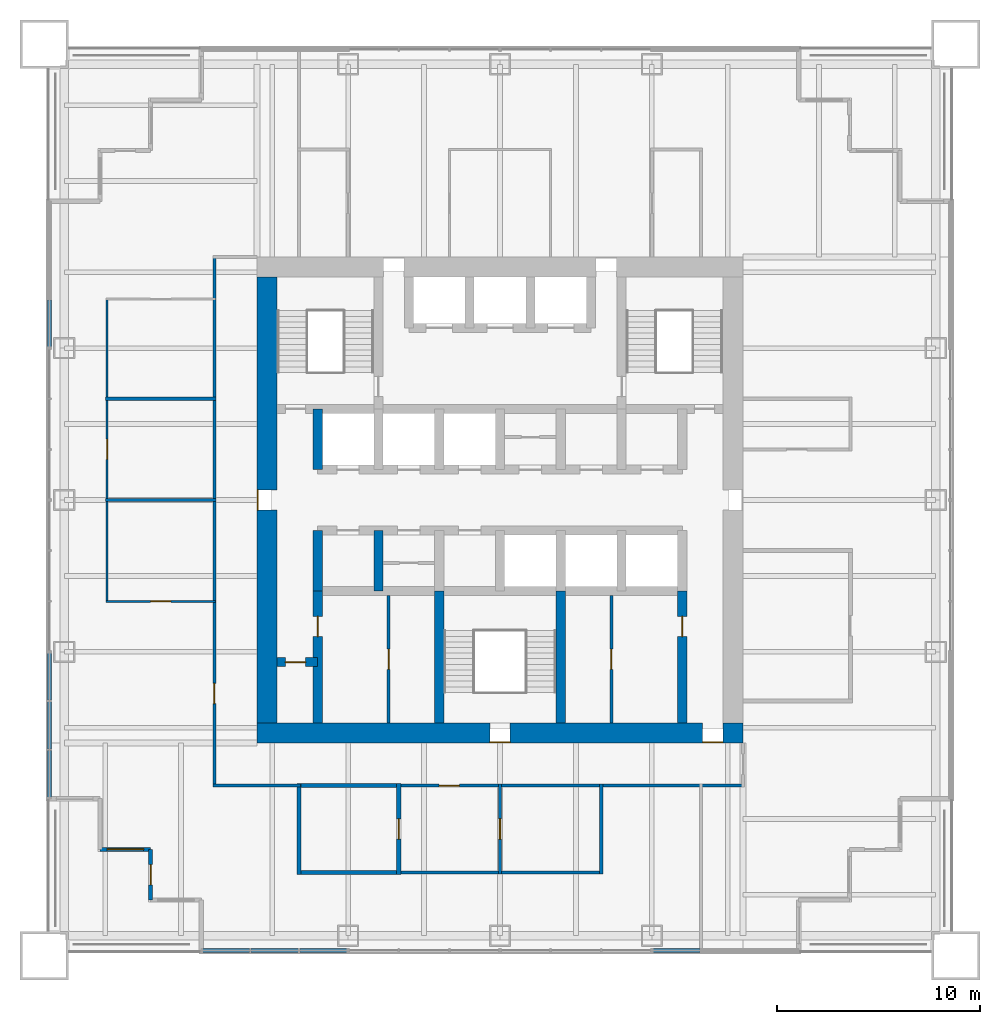
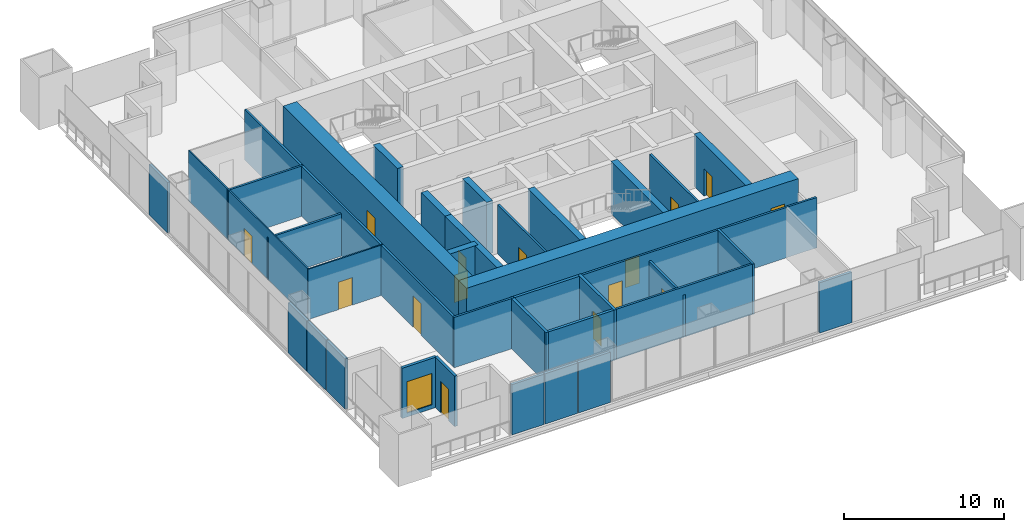
# One storey, part 8 of 13: 36 walls, 15 doors, 1 window, 16 openings.
"""IFC4 building model written with IfcOpenShell, lengths in metres."""

from ifc_helpers import new_model, si_unit, direction, frame, frame_2d, origin, place, context, subcontext, project, spatial, rectangle, extrude, material, layer, layer_set, type_object, element, fill, save


model = new_model("IFC4")

# Units and contexts
model_context = context("Model", 3, precision=1e-05, world=origin(), true_north=direction((0.0, 1.0)))
body_context = subcontext(model_context, "Body", "Model", "MODEL_VIEW")
ifc_project = project(units=[si_unit("LENGTHUNIT", "METRE"), si_unit("AREAUNIT", "SQUARE_METRE"), si_unit("VOLUMEUNIT", "CUBIC_METRE"), si_unit("PLANEANGLEUNIT", "RADIAN"), si_unit("MASSUNIT", "GRAM", prefix="KILO")], contexts=[model_context])

# Site, building, storey
site_placement = place(None, origin())
site = spatial("IfcSite", under=ifc_project, at=site_placement, CompositionType="ELEMENT")
building_placement = place(site_placement, origin())
building = spatial("IfcBuilding", under=site, at=building_placement, Name="Tarangal Relay Tower", CompositionType="ELEMENT")
storey_placement = place(building_placement, frame((0.0, 0.0, 241.89990234375)))
storey = spatial("IfcBuildingStorey", under=building, at=storey_placement, Name="L52", CompositionType="ELEMENT", Elevation=241.89990234375)

# Walls
ifc_material_1 = material(Name="Two layers gypsum board each side on twin steel studs, mineral wool", Category="steel")
ifc_layer_1 = layer(ifc_material_1, 0.199951171875)
ifc_layer_set_1 = layer_set([ifc_layer_1], Name="Acoustic partition 200")
wall_type_1 = type_object("IfcWallType", Name="Acoustic partition 200", PredefinedType="PARTITIONING", material=ifc_layer_set_1)
for number, where, z_axis, x_axis, name in (
    (1, (-10.01708984375, -18.39990234375, 0.0), (0.0, 0.0, 1.0), (1.0, 0.0, 0.0), "Partition PT2 L52"),
    (2, (-10.01708984375, -14.10009765625, 0.0), (0.0, 0.0, 1.0), (1.0, 0.0, 0.0), "Partition PT2 L52"),
):
    element("IfcWall", number, at=place(storey_placement, frame(where, z_axis=z_axis, x_axis=x_axis)), inside=storey, type_object=wall_type_1, Name=name, PredefinedType="PARTITIONING", context=body_context, shape_type="SweptSolid", body=[
        extrude(rectangle(XDim=5.1171875, YDim=0.199951171875, at=frame_2d((2.55859375, 0.0))), origin(), (0.0, 0.0, 1.0), 3.85009765625),
    ])
wall_1_placement = place(storey_placement, frame((-9.9169921875, -18.5, 0.0), z_axis=(0.0, 0.0, 1.0), x_axis=(0.0, 1.0, 0.0)))
element("IfcWall", 3, at=wall_1_placement, inside=storey, type_object=wall_type_1, Name="Partition PT2 L52", PredefinedType="PARTITIONING", context=body_context, shape_type="SweptSolid", body=[
    extrude(rectangle(XDim=4.5, YDim=0.199951171875, at=frame_2d((2.25, 0.0))), origin(), (0.0, 0.0, 1.0), 3.85009765625),
])

# Wall, opening, door
wall_2_placement = place(storey_placement, frame((-5.0, -18.5, 0.0), z_axis=(0.0, 0.0, 1.0), x_axis=(0.0, 1.0, 0.0)))
wall_2 = element("IfcWall", 4, at=wall_2_placement, inside=storey, type_object=wall_type_1, Name="Partition PT2 L52", PredefinedType="PARTITIONING", context=body_context, shape_type="SweptSolid", body=[
    extrude(rectangle(XDim=4.5, YDim=0.199951171875, at=frame_2d((2.25, 0.0))), origin(), (0.0, 0.0, 1.0), 3.85009765625),
])
opening_1_placement = place(wall_2_placement, frame((1.75, 0.0, 0.0)))
opening_1 = element("IfcOpeningElement", 5, at=opening_1_placement, cuts=wall_2, Name="Opening D2", PredefinedType="OPENING", context=body_context, shape_type="SweptSolid", body=[
    extrude(rectangle(XDim=1.0, YDim=2.10009765625, at=frame_2d((0.5, 1.050048828125))), frame((0.0, 0.10986328125, 0.0), z_axis=(0.0, -1.0, 0.0), x_axis=(1.0, 0.0, 0.0)), (0.0, 0.0, 1.0), 0.219970703125),
])
ifc_material_2 = material(Name="Hardwood door", Category="wood")
door_type_1 = type_object("IfcDoorType", Name="Door 1000 x 2100", OperationType="SINGLE_SWING_LEFT", PredefinedType="DOOR", material=ifc_material_2)
door_1_placement = place(opening_1_placement, origin())
door_1 = element("IfcDoor", 6, at=door_1_placement, inside=storey, type_object=door_type_1, Name="Door D2 to quiet room L52-09", OperationType="SINGLE_SWING_LEFT", OverallHeight=2.10009765625, OverallWidth=1.0, PredefinedType="DOOR", context=body_context, shape_type="SweptSolid", body=[
    extrude(rectangle(XDim=1.0, YDim=2.10009765625, at=frame_2d((0.5, 1.050048828125))), frame((0.0, 0.02490234375, 0.0), z_axis=(0.0, -1.0, 0.0), x_axis=(1.0, 0.0, 0.0)), (0.0, 0.0, 1.0), 0.050048828125),
])
fill(opening_1, door_1)

ifc_material_3 = material(Name="Concrete fc' 60 MPa", Category="concrete")
ifc_layer_2 = layer(ifc_material_3, 0.449951171875)
ifc_layer_set_2 = layer_set([ifc_layer_2], Name="Core inner wall 450")
wall_type_2 = type_object("IfcWallType", Name="Core inner wall 450", PredefinedType="SHEAR", material=ifc_layer_set_2)
wall_3_placement = place(storey_placement, frame((-11.0, -8.0, 0.0), z_axis=(0.0, 0.0, 1.0), x_axis=(1.0, 0.0, 0.0)))
wall_3 = element("IfcWall", 7, at=wall_3_placement, inside=storey, type_object=wall_type_2, Name="Core wall YM8 L52", PredefinedType="SHEAR", context=body_context, shape_type="SweptSolid", body=[
    extrude(rectangle(XDim=2.0, YDim=0.449951171875, at=frame_2d((1.0, 0.0))), origin(), (0.0, 0.0, 1.0), 4.0),
])
opening_2_placement = place(wall_3_placement, frame((0.39990234375, 0.0, 0.0)))
opening_2 = element("IfcOpeningElement", 8, at=opening_2_placement, cuts=wall_3, Name="Opening D1", PredefinedType="OPENING", context=body_context, shape_type="SweptSolid", body=[
    extrude(rectangle(XDim=1.0, YDim=2.10009765625, at=frame_2d((0.5, 1.050048828125))), frame((0.0, 0.23486328125, 0.0), z_axis=(0.0, -1.0, 0.0), x_axis=(1.0, 0.0, 0.0)), (0.0, 0.0, 1.0), 0.469970703125),
])
door_type_2 = type_object("IfcDoorType", Name="WC door 1000 x 2100", OperationType="SINGLE_SWING_LEFT", PredefinedType="DOOR", material=ifc_material_2)
door_2_placement = place(opening_2_placement, origin())
door_2 = element("IfcDoor", 9, at=door_2_placement, inside=storey, type_object=door_type_2, Name="Accessible WC door L52", OperationType="SINGLE_SWING_LEFT", OverallHeight=2.10009765625, OverallWidth=1.0, PredefinedType="DOOR", context=body_context, shape_type="SweptSolid", body=[
    extrude(rectangle(XDim=1.0, YDim=2.10009765625, at=frame_2d((0.5, 1.050048828125))), frame((0.0, 0.02490234375, 0.0), z_axis=(0.0, -1.0, 0.0), x_axis=(1.0, 0.0, 0.0)), (0.0, 0.0, 1.0), 0.050048828125),
])
fill(opening_2, door_2)

# Walls
for number, where, z_axis, x_axis, name in (
    (10, (-9.0, 1.5, 0.0), (0.0, 0.0, 1.0), (0.0, 1.0, 0.0), "Core wall XM9N L52"),
    (11, (-9.0, -4.5, 0.0), (0.0, 0.0, 1.0), (0.0, 1.0, 0.0), "Core wall XM9S L52"),
    (12, (-6.0, -4.5, 0.0), (0.0, 0.0, 1.0), (0.0, 1.0, 0.0), "Core wall XM6S L52"),
):
    element("IfcWall", number, at=place(storey_placement, frame(where, z_axis=z_axis, x_axis=x_axis)), inside=storey, type_object=wall_type_2, Name=name, PredefinedType="SHEAR", context=body_context, shape_type="SweptSolid", body=[
        extrude(rectangle(XDim=3.0, YDim=0.449951171875, at=frame_2d((1.5, 0.0))), origin(), (0.0, 0.0, 1.0), 4.0),
    ])

# Wall, opening, door
wall_4_placement = place(storey_placement, frame((-9.0, -11.0, 0.0), z_axis=(0.0, 0.0, 1.0), x_axis=(0.0, 1.0, 0.0)))
wall_4 = element("IfcWall", 13, at=wall_4_placement, inside=storey, type_object=wall_type_2, Name="Core wall XM9W L52", PredefinedType="SHEAR", context=body_context, shape_type="SweptSolid", body=[
    extrude(rectangle(XDim=6.5, YDim=0.449951171875, at=frame_2d((3.25, 0.0))), origin(), (0.0, 0.0, 1.0), 4.0),
])
opening_3_placement = place(wall_4_placement, frame((4.25, 0.0, 0.0)))
opening_3 = element("IfcOpeningElement", 14, at=opening_3_placement, cuts=wall_4, Name="Opening D1", PredefinedType="OPENING", context=body_context, shape_type="SweptSolid", body=[
    extrude(rectangle(XDim=1.0, YDim=2.10009765625, at=frame_2d((0.5, 1.050048828125))), frame((0.0, 0.23486328125, 0.0), z_axis=(0.0, -1.0, 0.0), x_axis=(1.0, 0.0, 0.0)), (0.0, 0.0, 1.0), 0.469970703125),
])
door_3_placement = place(opening_3_placement, origin())
door_3 = element("IfcDoor", 15, at=door_3_placement, inside=storey, type_object=door_type_2, Name="Male WC door L52", OperationType="SINGLE_SWING_LEFT", OverallHeight=2.10009765625, OverallWidth=1.0, PredefinedType="DOOR", context=body_context, shape_type="SweptSolid", body=[
    extrude(rectangle(XDim=1.0, YDim=2.10009765625, at=frame_2d((0.5, 1.050048828125))), frame((0.0, 0.02490234375, 0.0), z_axis=(0.0, -1.0, 0.0), x_axis=(1.0, 0.0, 0.0)), (0.0, 0.0, 1.0), 0.050048828125),
])
fill(opening_3, door_3)

wall_5_placement = place(storey_placement, frame((9.0, -11.0, 0.0), z_axis=(0.0, 0.0, 1.0), x_axis=(0.0, 1.0, 0.0)))
wall_5 = element("IfcWall", 16, at=wall_5_placement, inside=storey, type_object=wall_type_2, Name="Core wall X9W L52", PredefinedType="SHEAR", context=body_context, shape_type="SweptSolid", body=[
    extrude(rectangle(XDim=6.5, YDim=0.449951171875, at=frame_2d((3.25, 0.0))), origin(), (0.0, 0.0, 1.0), 4.0),
])
opening_4_placement = place(wall_5_placement, frame((4.25, 0.0, 0.0)))
opening_4 = element("IfcOpeningElement", 17, at=opening_4_placement, cuts=wall_5, Name="Opening D1", PredefinedType="OPENING", context=body_context, shape_type="SweptSolid", body=[
    extrude(rectangle(XDim=1.0, YDim=2.10009765625, at=frame_2d((0.5, 1.050048828125))), frame((0.0, 0.23486328125, 0.0), z_axis=(0.0, -1.0, 0.0), x_axis=(1.0, 0.0, 0.0)), (0.0, 0.0, 1.0), 0.469970703125),
])
door_4_placement = place(opening_4_placement, origin())
door_4 = element("IfcDoor", 18, at=door_4_placement, inside=storey, type_object=door_type_2, Name="Female WC door L52", OperationType="SINGLE_SWING_LEFT", OverallHeight=2.10009765625, OverallWidth=1.0, PredefinedType="DOOR", context=body_context, shape_type="SweptSolid", body=[
    extrude(rectangle(XDim=1.0, YDim=2.10009765625, at=frame_2d((0.5, 1.050048828125))), frame((0.0, 0.02490234375, 0.0), z_axis=(0.0, -1.0, 0.0), x_axis=(1.0, 0.0, 0.0)), (0.0, 0.0, 1.0), 0.050048828125),
])
fill(opening_4, door_4)

# Walls
for number, where, z_axis, x_axis, name in (
    (19, (-3.0, -11.0, 0.0), (0.0, 0.0, 1.0), (0.0, 1.0, 0.0), "Core wall XM3W L52"),
    (20, (3.0, -11.0, 0.0), (0.0, 0.0, 1.0), (0.0, 1.0, 0.0), "Core wall X3W L52"),
):
    element("IfcWall", number, at=place(storey_placement, frame(where, z_axis=z_axis, x_axis=x_axis)), inside=storey, type_object=wall_type_2, Name=name, PredefinedType="SHEAR", context=body_context, shape_type="SweptSolid", body=[
        extrude(rectangle(XDim=6.5, YDim=0.449951171875, at=frame_2d((3.25, 0.0))), origin(), (0.0, 0.0, 1.0), 4.0),
    ])

# Wall, openings, doors
ifc_layer_3 = layer(ifc_material_3, 1.0)
ifc_layer_set_3 = layer_set([ifc_layer_3], Name="Core wall 1000")
wall_type_3 = type_object("IfcWallType", Name="Core wall 1000", PredefinedType="SHEAR", material=ifc_layer_set_3)
wall_6_placement = place(storey_placement, frame((12.0, -11.5, 0.0), z_axis=(0.0, 0.0, 1.0), x_axis=(-1.0, 0.0, 0.0)))
wall_6 = element("IfcWall", 21, at=wall_6_placement, inside=storey, type_object=wall_type_3, Name="Core wall S L52", PredefinedType="SHEAR", context=body_context, shape_type="SweptSolid", body=[
    extrude(rectangle(XDim=24.0, YDim=1.0, at=frame_2d((12.0, 0.0))), origin(), (0.0, 0.0, 1.0), 4.0),
])
opening_5_placement = place(wall_6_placement, frame((11.5, 0.0, 0.0)))
opening_5 = element("IfcOpeningElement", 22, at=opening_5_placement, cuts=wall_6, Name="Opening FD1", PredefinedType="OPENING", context=body_context, shape_type="SweptSolid", body=[
    extrude(rectangle(XDim=1.0, YDim=2.10009765625, at=frame_2d((0.5, 1.050048828125))), frame((0.0, 0.510009765625, 0.0), z_axis=(0.0, -1.0, 0.0), x_axis=(1.0, 0.0, 0.0)), (0.0, 0.0, 1.0), 1.02001953125),
])
opening_6_placement = place(wall_6_placement, frame((1.0, 0.0, 0.0)))
opening_6 = element("IfcOpeningElement", 23, at=opening_6_placement, cuts=wall_6, Name="Opening FD3", PredefinedType="OPENING", context=body_context, shape_type="SweptSolid", body=[
    extrude(rectangle(XDim=1.0, YDim=2.39990234375, at=frame_2d((0.5, 1.199951171875))), frame((0.0, 0.510009765625, 0.0), z_axis=(0.0, -1.0, 0.0), x_axis=(1.0, 0.0, 0.0)), (0.0, 0.0, 1.0), 1.02001953125),
])
ifc_material_4 = material(Name="Steel door with hardwood frame", Category="steel")
door_type_3 = type_object("IfcDoorType", Name="Fire door 1000 x 2100", OperationType="SINGLE_SWING_LEFT", PredefinedType="DOOR", material=ifc_material_4)
door_5_placement = place(opening_5_placement, origin())
door_5 = element("IfcDoor", 24, at=door_5_placement, inside=storey, type_object=door_type_3, Name="Stair ST-C door L52", OperationType="SINGLE_SWING_LEFT", OverallHeight=2.10009765625, OverallWidth=1.0, PredefinedType="DOOR", context=body_context, shape_type="SweptSolid", body=[
    extrude(rectangle(XDim=1.0, YDim=2.10009765625, at=frame_2d((0.5, 1.050048828125))), frame((0.0, 0.48486328125, 0.0), z_axis=(0.0, -1.0, 0.0), x_axis=(1.0, 0.0, 0.0)), (0.0, 0.0, 1.0), 0.050048828125),
])
fill(opening_5, door_5)
door_type_4 = type_object("IfcDoorType", Name="Fire door 1000 x 2400 core entry", OperationType="SINGLE_SWING_RIGHT", PredefinedType="DOOR", material=ifc_material_4)
door_6_placement = place(opening_6_placement, origin())
door_6 = element("IfcDoor", 25, at=door_6_placement, inside=storey, type_object=door_type_4, Name="Core entry door south east L52", OperationType="SINGLE_SWING_RIGHT", OverallHeight=2.39990234375, OverallWidth=1.0, PredefinedType="DOOR", context=body_context, shape_type="SweptSolid", body=[
    extrude(rectangle(XDim=1.0, YDim=2.39990234375, at=frame_2d((0.5, 1.199951171875))), frame((0.0, 0.48486328125, 0.0), z_axis=(0.0, -1.0, 0.0), x_axis=(1.0, 0.0, 0.0)), (0.0, 0.0, 1.0), 0.050048828125),
])
fill(opening_6, door_6)

# Wall, opening, door
wall_7_placement = place(storey_placement, frame((-11.5, -11.0, 0.0), z_axis=(0.0, 0.0, 1.0), x_axis=(0.0, 1.0, 0.0)))
wall_7 = element("IfcWall", 26, at=wall_7_placement, inside=storey, type_object=wall_type_3, Name="Core wall W L52", PredefinedType="SHEAR", context=body_context, shape_type="SweptSolid", body=[
    extrude(rectangle(XDim=22.0, YDim=1.0, at=frame_2d((11.0, 0.0))), origin(), (0.0, 0.0, 1.0), 4.0),
])
opening_7_placement = place(wall_7_placement, frame((10.5, 0.0, 0.0)))
opening_7 = element("IfcOpeningElement", 27, at=opening_7_placement, cuts=wall_7, Name="Opening FD3", PredefinedType="OPENING", context=body_context, shape_type="SweptSolid", body=[
    extrude(rectangle(XDim=1.0, YDim=2.39990234375, at=frame_2d((0.5, 1.199951171875))), frame((0.0, 0.510009765625, 0.0), z_axis=(0.0, -1.0, 0.0), x_axis=(1.0, 0.0, 0.0)), (0.0, 0.0, 1.0), 1.02001953125),
])
door_7_placement = place(opening_7_placement, origin())
door_7 = element("IfcDoor", 28, at=door_7_placement, inside=storey, type_object=door_type_4, Name="Core entry door west L52", OperationType="SINGLE_SWING_RIGHT", OverallHeight=2.39990234375, OverallWidth=1.0, PredefinedType="DOOR", context=body_context, shape_type="SweptSolid", body=[
    extrude(rectangle(XDim=1.0, YDim=2.39990234375, at=frame_2d((0.5, 1.199951171875))), frame((0.0, 0.48486328125, 0.0), z_axis=(0.0, -1.0, 0.0), x_axis=(1.0, 0.0, 0.0)), (0.0, 0.0, 1.0), 0.050048828125),
])
fill(opening_7, door_7)

ifc_material_5 = material(Name="Black metal clad insulated wall", Category="steel")
ifc_layer_4 = layer(ifc_material_5, 0.199951171875)
ifc_layer_set_4 = layer_set([ifc_layer_4], Name="Corner wall metal clad 200")
wall_type_4 = type_object("IfcWallType", Name="Corner wall metal clad 200", PredefinedType="SOLIDWALL", material=ifc_layer_set_4)
wall_8_placement = place(storey_placement, frame((-17.25, -19.75, 0.0), z_axis=(0.0, 0.0, 1.0), x_axis=(0.0, 1.0, 0.0)))
wall_8 = element("IfcWall", 29, at=wall_8_placement, inside=storey, type_object=wall_type_4, Name="Facade wall S facade L52", PredefinedType="SOLIDWALL", context=body_context, shape_type="SweptSolid", body=[
    extrude(rectangle(XDim=2.5, YDim=0.199951171875, at=frame_2d((1.25, 0.0))), origin(), (0.0, 0.0, 1.0), 3.85009765625),
])
opening_8_placement = place(wall_8_placement, frame((0.75, 0.0, 0.0)))
opening_8 = element("IfcOpeningElement", 30, at=opening_8_placement, cuts=wall_8, Name="Opening TD1", PredefinedType="OPENING", context=body_context, shape_type="SweptSolid", body=[
    extrude(rectangle(XDim=1.0, YDim=2.39990234375, at=frame_2d((0.5, 1.199951171875))), frame((0.0, 0.10986328125, 0.0), z_axis=(0.0, -1.0, 0.0), x_axis=(1.0, 0.0, 0.0)), (0.0, 0.0, 1.0), 0.219970703125),
])
ifc_material_6 = material(Name="Aluminium glazed door", Category="aluminium")
door_type_5 = type_object("IfcDoorType", Name="Terrace door 1000 x 2400", OperationType="SINGLE_SWING_RIGHT", PredefinedType="DOOR", material=ifc_material_6)
door_8_placement = place(opening_8_placement, origin())
door_8 = element("IfcDoor", 31, at=door_8_placement, inside=storey, type_object=door_type_5, Name="Terrace door TD1 SW L52", OperationType="SINGLE_SWING_RIGHT", OverallHeight=2.39990234375, OverallWidth=1.0, PredefinedType="DOOR", context=body_context, shape_type="SweptSolid", body=[
    extrude(rectangle(XDim=1.0, YDim=2.39990234375, at=frame_2d((0.5, 1.199951171875))), frame((0.0, 0.02490234375, 0.0), z_axis=(0.0, -1.0, 0.0), x_axis=(1.0, 0.0, 0.0)), (0.0, 0.0, 1.0), 0.050048828125),
])
fill(opening_8, door_8)

# Wall, opening, window
wall_9_placement = place(storey_placement, frame((-17.25, -17.25, 0.0), z_axis=(0.0, 0.0, 1.0), x_axis=(-1.0, 0.0, 0.0)))
wall_9 = element("IfcWall", 32, at=wall_9_placement, inside=storey, type_object=wall_type_4, Name="Facade wall S facade L52", PredefinedType="SOLIDWALL", context=body_context, shape_type="SweptSolid", body=[
    extrude(rectangle(XDim=2.5, YDim=0.199951171875, at=frame_2d((1.25, 0.0))), origin(), (0.0, 0.0, 1.0), 3.85009765625),
])
opening_9_placement = place(wall_9_placement, frame((0.35009765625, 0.0, 0.300048828125)))
opening_9 = element("IfcOpeningElement", 33, at=opening_9_placement, cuts=wall_9, Name="Opening WN2", PredefinedType="OPENING", context=body_context, shape_type="SweptSolid", body=[
    extrude(rectangle(XDim=1.800048828125, YDim=2.39990234375, at=frame_2d((0.89990234375, 1.199951171875))), frame((0.0, 0.10986328125, 0.0), z_axis=(0.0, -1.0, 0.0), x_axis=(1.0, 0.0, 0.0)), (0.0, 0.0, 1.0), 0.219970703125),
])
ifc_material_7 = material(Name="Dark tinted double glazing in black aluminium frame", Category="aluminium")
window_type = type_object("IfcWindowType", Name="Corner window 1800 x 2400", PartitioningType="SINGLE_PANEL", PredefinedType="WINDOW", material=ifc_material_7)
window_placement = place(opening_9_placement, origin())
window = element("IfcWindow", 34, at=window_placement, inside=storey, type_object=window_type, Name="Corner window WN2 S facade L52", OverallHeight=2.39990234375, OverallWidth=1.800048828125, PartitioningType="SINGLE_PANEL", PredefinedType="WINDOW", context=body_context, shape_type="SweptSolid", body=[
    extrude(rectangle(XDim=1.800048828125, YDim=2.39990234375, at=frame_2d((0.89990234375, 1.199951171875))), frame((0.0, 0.030029296875, 0.0), z_axis=(0.0, -1.0, 0.0), x_axis=(1.0, 0.0, 0.0)), (0.0, 0.0, 1.0), 0.06005859375),
])
fill(opening_9, window)

# Walls
ifc_layer_5 = layer(ifc_material_5, 0.199951171875)
ifc_layer_set_5 = layer_set([ifc_layer_5], Name="Facade infill wall metal clad 200")
wall_type_5 = type_object("IfcWallType", Name="Facade infill wall metal clad 200", PredefinedType="SOLIDWALL", material=ifc_layer_set_5)
for number, where, z_axis, x_axis, name in (
    (35, (9.88427734375, -22.25, 0.0), (0.0, 0.0, 1.0), (-1.0, 0.0, 0.0), "Facade infill wall S facade L52 3.1"),
    (36, (-7.56494140625, -22.25, 0.0), (0.0, 0.0, 1.0), (-1.0, 0.0, 0.0), "Facade infill wall S facade L52 1.1"),
):
    element("IfcWall", number, at=place(storey_placement, frame(where, z_axis=z_axis, x_axis=x_axis)), inside=storey, type_object=wall_type_5, Name=name, PredefinedType="SOLIDWALL", context=body_context, shape_type="SweptSolid", body=[
        extrude(rectangle(XDim=2.3193359375, YDim=0.199951171875, at=frame_2d((1.15966796875, 0.0))), origin(), (0.0, 0.0, 1.0), 3.85009765625),
    ])
wall_10_placement = place(storey_placement, frame((-9.94921875, -22.25, 0.0), z_axis=(0.0, 0.0, 1.0), x_axis=(-1.0, 0.0, 0.0)))
element("IfcWall", 37, at=wall_10_placement, inside=storey, type_object=wall_type_5, Name="Facade infill wall S facade L52 2.1", PredefinedType="SOLIDWALL", context=body_context, shape_type="SweptSolid", body=[
    extrude(rectangle(XDim=2.3515625, YDim=0.199951171875, at=frame_2d((1.17578125, 0.0))), origin(), (0.0, 0.0, 1.0), 3.85009765625),
])
for number, where, z_axis, x_axis, name in (
    (38, (-12.36572265625, -22.25, 0.0), (0.0, 0.0, 1.0), (-1.0, 0.0, 0.0), "Facade infill wall S facade L52 3.1"),
    (39, (-22.25, -14.68505859375, 0.0), (0.0, 0.0, 1.0), (0.0, 1.0, 0.0), "Facade infill wall W facade L52 1.1"),
):
    element("IfcWall", number, at=place(storey_placement, frame(where, z_axis=z_axis, x_axis=x_axis)), inside=storey, type_object=wall_type_5, Name=name, PredefinedType="SOLIDWALL", context=body_context, shape_type="SweptSolid", body=[
        extrude(rectangle(XDim=2.3193359375, YDim=0.199951171875, at=frame_2d((1.15966796875, 0.0))), origin(), (0.0, 0.0, 1.0), 3.85009765625),
    ])
wall_11_placement = place(storey_placement, frame((-22.25, -12.30078125, 0.0), z_axis=(0.0, 0.0, 1.0), x_axis=(0.0, 1.0, 0.0)))
element("IfcWall", 40, at=wall_11_placement, inside=storey, type_object=wall_type_5, Name="Facade infill wall W facade L52 2.1", PredefinedType="SOLIDWALL", context=body_context, shape_type="SweptSolid", body=[
    extrude(rectangle(XDim=2.3515625, YDim=0.199951171875, at=frame_2d((1.17578125, 0.0))), origin(), (0.0, 0.0, 1.0), 3.85009765625),
])
for number, where, z_axis, x_axis, name in (
    (41, (-22.25, -9.88427734375, 0.0), (0.0, 0.0, 1.0), (0.0, 1.0, 0.0), "Facade infill wall W facade L52 3.1"),
    (42, (-22.25, 7.56494140625, 0.0), (0.0, 0.0, 1.0), (0.0, 1.0, 0.0), "Facade infill wall W facade L52 1.1"),
):
    element("IfcWall", number, at=place(storey_placement, frame(where, z_axis=z_axis, x_axis=x_axis)), inside=storey, type_object=wall_type_5, Name=name, PredefinedType="SOLIDWALL", context=body_context, shape_type="SweptSolid", body=[
        extrude(rectangle(XDim=2.3193359375, YDim=0.199951171875, at=frame_2d((1.15966796875, 0.0))), origin(), (0.0, 0.0, 1.0), 3.85009765625),
    ])

# Wall, opening, door
ifc_material_8 = material(Name="Double glazed aluminium framed partition", Category="aluminium")
ifc_layer_6 = layer(ifc_material_8, 0.10009765625)
ifc_layer_set_6 = layer_set([ifc_layer_6], Name="Glazed partition 100")
wall_type_6 = type_object("IfcWallType", Name="Glazed partition 100", PredefinedType="PARTITIONING", material=ifc_layer_set_6)
wall_12_placement = place(storey_placement, frame((-19.449951171875, -5.0, 0.0), z_axis=(0.0, 0.0, 1.0), x_axis=(1.0, 0.0, 0.0)))
wall_12 = element("IfcWall", 43, at=wall_12_placement, inside=storey, type_object=wall_type_6, Name="Partition PT3 L52", PredefinedType="PARTITIONING", context=body_context, shape_type="SweptSolid", body=[
    extrude(rectangle(XDim=5.39990234375, YDim=0.10009765625, at=frame_2d((2.699951171875, 0.0))), origin(), (0.0, 0.0, 1.0), 3.85009765625),
])
opening_10_placement = place(wall_12_placement, frame((2.199951171875, 0.0, 0.0)))
opening_10 = element("IfcOpeningElement", 44, at=opening_10_placement, cuts=wall_12, Name="Opening D3", PredefinedType="OPENING", context=body_context, shape_type="SweptSolid", body=[
    extrude(rectangle(XDim=1.0, YDim=2.10009765625, at=frame_2d((0.5, 1.050048828125))), frame((0.0, 0.06005859375, 0.0), z_axis=(0.0, -1.0, 0.0), x_axis=(1.0, 0.0, 0.0)), (0.0, 0.0, 1.0), 0.1201171875),
])
ifc_material_9 = material(Name="Frameless glass door", Category="glass")
door_type_6 = type_object("IfcDoorType", Name="Glazed door 1000 x 2100", OperationType="SINGLE_SWING_LEFT", PredefinedType="DOOR", material=ifc_material_9)
door_9_placement = place(opening_10_placement, origin())
door_9 = element("IfcDoor", 45, at=door_9_placement, inside=storey, type_object=door_type_6, Name="Door D3 to meeting room L52-10", OperationType="SINGLE_SWING_LEFT", OverallHeight=2.10009765625, OverallWidth=1.0, PredefinedType="DOOR", context=body_context, shape_type="SweptSolid", body=[
    extrude(rectangle(XDim=1.0, YDim=2.10009765625, at=frame_2d((0.5, 1.050048828125))), frame((0.0, 0.02490234375, 0.0), z_axis=(0.0, -1.0, 0.0), x_axis=(1.0, 0.0, 0.0)), (0.0, 0.0, 1.0), 0.050048828125),
])
fill(opening_10, door_9)

wall_13_placement = place(storey_placement, frame((-19.39990234375, -5.050048828125, 0.0), z_axis=(0.0, 0.0, 1.0), x_axis=(0.0, 1.0, 0.0)))
wall_13 = element("IfcWall", 46, at=wall_13_placement, inside=storey, type_object=wall_type_6, Name="Partition PT3 L52", PredefinedType="PARTITIONING", context=body_context, shape_type="SweptSolid", body=[
    extrude(rectangle(XDim=15.01708984375, YDim=0.10009765625, at=frame_2d((7.508544921875, 0.0))), origin(), (0.0, 0.0, 1.0), 3.85009765625),
])
opening_11_placement = place(wall_13_placement, frame((7.050048828125, 0.0, 0.0)))
opening_11 = element("IfcOpeningElement", 47, at=opening_11_placement, cuts=wall_13, Name="Opening D3", PredefinedType="OPENING", context=body_context, shape_type="SweptSolid", body=[
    extrude(rectangle(XDim=1.0, YDim=2.10009765625, at=frame_2d((0.5, 1.050048828125))), frame((0.0, 0.06005859375, 0.0), z_axis=(0.0, -1.0, 0.0), x_axis=(1.0, 0.0, 0.0)), (0.0, 0.0, 1.0), 0.1201171875),
])
door_10_placement = place(opening_11_placement, origin())
door_10 = element("IfcDoor", 48, at=door_10_placement, inside=storey, type_object=door_type_6, Name="Door D3 to meeting room L52-11", OperationType="SINGLE_SWING_LEFT", OverallHeight=2.10009765625, OverallWidth=1.0, PredefinedType="DOOR", context=body_context, shape_type="SweptSolid", body=[
    extrude(rectangle(XDim=1.0, YDim=2.10009765625, at=frame_2d((0.5, 1.050048828125))), frame((0.0, 0.02490234375, 0.0), z_axis=(0.0, -1.0, 0.0), x_axis=(1.0, 0.0, 0.0)), (0.0, 0.0, 1.0), 0.050048828125),
])
fill(opening_11, door_10)

# Walls
ifc_material_10 = material(Name="Gypsum board on steel studs", Category="steel")
ifc_layer_7 = layer(ifc_material_10, 0.14990234375)
ifc_layer_set_7 = layer_set([ifc_layer_7], Name="Partition 150")
wall_type_7 = type_object("IfcWallType", Name="Partition 150", PredefinedType="PARTITIONING", material=ifc_layer_set_7)
wall_14_placement = place(storey_placement, frame((-5.074951171875, -18.39990234375, 0.0), z_axis=(0.0, 0.0, 1.0), x_axis=(1.0, 0.0, 0.0)))
element("IfcWall", 49, at=wall_14_placement, inside=storey, type_object=wall_type_7, Name="Partition PT1 L52", PredefinedType="PARTITIONING", context=body_context, shape_type="SweptSolid", body=[
    extrude(rectangle(XDim=10.14990234375, YDim=0.14990234375, at=frame_2d((5.074951171875, 0.0))), origin(), (0.0, 0.0, 1.0), 3.85009765625),
])
wall_15_placement = place(storey_placement, frame((-14.175048828125, -14.10009765625, 0.0), z_axis=(0.0, 0.0, 1.0), x_axis=(1.0, 0.0, 0.0)))
element("IfcWall", 50, at=wall_15_placement, inside=storey, type_object=wall_type_7, Name="Partition PT1 L52", PredefinedType="PARTITIONING", context=body_context, shape_type="SweptSolid", body=[
    extrude(rectangle(XDim=4.3330078125, YDim=0.14990234375, at=frame_2d((2.16650390625, 0.0))), origin(), (0.0, 0.0, 1.0), 3.85009765625),
])

# Wall, opening, door
wall_16_placement = place(storey_placement, frame((-5.074951171875, -14.10009765625, 0.0), z_axis=(0.0, 0.0, 1.0), x_axis=(1.0, 0.0, 0.0)))
wall_16 = element("IfcWall", 51, at=wall_16_placement, inside=storey, type_object=wall_type_7, Name="Partition PT1 L52", PredefinedType="PARTITIONING", context=body_context, shape_type="SweptSolid", body=[
    extrude(rectangle(XDim=17.14990234375, YDim=0.14990234375, at=frame_2d((8.574951171875, 0.0))), origin(), (0.0, 0.0, 1.0), 3.85009765625),
])
opening_12_placement = place(wall_16_placement, frame((2.074951171875, 0.0, 0.0)))
opening_12 = element("IfcOpeningElement", 52, at=opening_12_placement, cuts=wall_16, Name="Opening SD1", PredefinedType="OPENING", context=body_context, shape_type="SweptSolid", body=[
    extrude(rectangle(XDim=1.0, YDim=2.39990234375, at=frame_2d((0.5, 1.199951171875))), frame((0.0, 0.0849609375, 0.0), z_axis=(0.0, -1.0, 0.0), x_axis=(1.0, 0.0, 0.0)), (0.0, 0.0, 1.0), 0.169921875),
])
door_type_7 = type_object("IfcDoorType", Name="Suite entrance door 1000 x 2400", OperationType="SINGLE_SWING_RIGHT", PredefinedType="DOOR", material=ifc_material_4)
door_11_placement = place(opening_12_placement, origin())
door_11 = element("IfcDoor", 53, at=door_11_placement, inside=storey, type_object=door_type_7, Name="Door SD1 to reception L52-08", OperationType="SINGLE_SWING_RIGHT", OverallHeight=2.39990234375, OverallWidth=1.0, PredefinedType="DOOR", context=body_context, shape_type="SweptSolid", body=[
    extrude(rectangle(XDim=1.0, YDim=2.39990234375, at=frame_2d((0.5, 1.199951171875))), frame((0.0, 0.02490234375, 0.0), z_axis=(0.0, -1.0, 0.0), x_axis=(1.0, 0.0, 0.0)), (0.0, 0.0, 1.0), 0.050048828125),
])
fill(opening_12, door_11)

# Walls
wall_17_placement = place(storey_placement, frame((-19.47509765625, 0.0, 0.0), z_axis=(0.0, 0.0, 1.0), x_axis=(1.0, 0.0, 0.0)))
element("IfcWall", 54, at=wall_17_placement, inside=storey, type_object=wall_type_7, Name="Partition PT1 L52", PredefinedType="PARTITIONING", context=body_context, shape_type="SweptSolid", body=[
    extrude(rectangle(XDim=5.4501953125, YDim=0.14990234375, at=frame_2d((2.72509765625, 0.0))), origin(), (0.0, 0.0, 1.0), 3.238037109375),
])
wall_18_placement = place(storey_placement, frame((-19.47509765625, 5.0, 0.0), z_axis=(0.0, 0.0, 1.0), x_axis=(1.0, 0.0, 0.0)))
element("IfcWall", 55, at=wall_18_placement, inside=storey, type_object=wall_type_7, Name="Partition PT1 L52", PredefinedType="PARTITIONING", context=body_context, shape_type="SweptSolid", body=[
    extrude(rectangle(XDim=5.4501953125, YDim=0.14990234375, at=frame_2d((2.72509765625, 0.0))), origin(), (0.0, 0.0, 1.0), 3.85009765625),
])

# Wall, opening, door
wall_19_placement = place(storey_placement, frame((-14.10009765625, -14.175048828125, 0.0), z_axis=(0.0, 0.0, 1.0), x_axis=(0.0, 1.0, 0.0)))
wall_19 = element("IfcWall", 56, at=wall_19_placement, inside=storey, type_object=wall_type_7, Name="Partition PT1 L52", PredefinedType="PARTITIONING", context=body_context, shape_type="SweptSolid", body=[
    extrude(rectangle(XDim=26.25, YDim=0.14990234375, at=frame_2d((13.125, 0.0))), origin(), (0.0, 0.0, 1.0), 3.85009765625),
])
opening_13_placement = place(wall_19_placement, frame((4.125, 0.0, 0.0)))
opening_13 = element("IfcOpeningElement", 57, at=opening_13_placement, cuts=wall_19, Name="Opening SD1", PredefinedType="OPENING", context=body_context, shape_type="SweptSolid", body=[
    extrude(rectangle(XDim=1.0, YDim=2.39990234375, at=frame_2d((0.5, 1.199951171875))), frame((0.0, 0.0849609375, 0.0), z_axis=(0.0, -1.0, 0.0), x_axis=(1.0, 0.0, 0.0)), (0.0, 0.0, 1.0), 0.169921875),
])
door_12_placement = place(opening_13_placement, origin())
door_12 = element("IfcDoor", 58, at=door_12_placement, inside=storey, type_object=door_type_7, Name="Door SD1 to open plan office L52-14", OperationType="SINGLE_SWING_RIGHT", OverallHeight=2.39990234375, OverallWidth=1.0, PredefinedType="DOOR", context=body_context, shape_type="SweptSolid", body=[
    extrude(rectangle(XDim=1.0, YDim=2.39990234375, at=frame_2d((0.5, 1.199951171875))), frame((0.0, 0.02490234375, 0.0), z_axis=(0.0, -1.0, 0.0), x_axis=(1.0, 0.0, 0.0)), (0.0, 0.0, 1.0), 0.050048828125),
])
fill(opening_13, door_12)

wall_20_placement = place(storey_placement, frame((0.0, -18.47509765625, 0.0), z_axis=(0.0, 0.0, 1.0), x_axis=(0.0, 1.0, 0.0)))
wall_20 = element("IfcWall", 59, at=wall_20_placement, inside=storey, type_object=wall_type_7, Name="Partition PT1 L52", PredefinedType="PARTITIONING", context=body_context, shape_type="SweptSolid", body=[
    extrude(rectangle(XDim=4.4501953125, YDim=0.14990234375, at=frame_2d((2.22509765625, 0.0))), origin(), (0.0, 0.0, 1.0), 3.238037109375),
])
opening_14_placement = place(wall_20_placement, frame((1.72509765625, 0.0, 0.0)))
opening_14 = element("IfcOpeningElement", 60, at=opening_14_placement, cuts=wall_20, Name="Opening D2", PredefinedType="OPENING", context=body_context, shape_type="SweptSolid", body=[
    extrude(rectangle(XDim=1.0, YDim=2.10009765625, at=frame_2d((0.5, 1.050048828125))), frame((0.0, 0.0849609375, 0.0), z_axis=(0.0, -1.0, 0.0), x_axis=(1.0, 0.0, 0.0)), (0.0, 0.0, 1.0), 0.169921875),
])
door_13_placement = place(opening_14_placement, origin())
door_13 = element("IfcDoor", 61, at=door_13_placement, inside=storey, type_object=door_type_1, Name="Door D2 to tea pantry L52-07", OperationType="SINGLE_SWING_LEFT", OverallHeight=2.10009765625, OverallWidth=1.0, PredefinedType="DOOR", context=body_context, shape_type="SweptSolid", body=[
    extrude(rectangle(XDim=1.0, YDim=2.10009765625, at=frame_2d((0.5, 1.050048828125))), frame((0.0, 0.02490234375, 0.0), z_axis=(0.0, -1.0, 0.0), x_axis=(1.0, 0.0, 0.0)), (0.0, 0.0, 1.0), 0.050048828125),
])
fill(opening_14, door_13)

# Wall
wall_21_placement = place(storey_placement, frame((5.0, -18.47509765625, 0.0), z_axis=(0.0, 0.0, 1.0), x_axis=(0.0, 1.0, 0.0)))
element("IfcWall", 62, at=wall_21_placement, inside=storey, type_object=wall_type_7, Name="Partition PT1 L52", PredefinedType="PARTITIONING", context=body_context, shape_type="SweptSolid", body=[
    extrude(rectangle(XDim=4.4501953125, YDim=0.14990234375, at=frame_2d((2.22509765625, 0.0))), origin(), (0.0, 0.0, 1.0), 3.85009765625),
])

# Wall, opening, door
wall_22_placement = place(storey_placement, frame((-5.5, -11.0, 0.0), z_axis=(0.0, 0.0, 1.0), x_axis=(0.0, 1.0, 0.0)))
wall_22 = element("IfcWall", 63, at=wall_22_placement, inside=storey, type_object=wall_type_7, Name="Partition PT1 L52", PredefinedType="PARTITIONING", context=body_context, shape_type="SweptSolid", body=[
    extrude(rectangle(XDim=6.27490234375, YDim=0.14990234375, at=frame_2d((3.137451171875, 0.0))), origin(), (0.0, 0.0, 1.0), 3.75),
])
opening_15_placement = place(wall_22_placement, frame((2.637451171875, 0.0, 0.0)))
opening_15 = element("IfcOpeningElement", 64, at=opening_15_placement, cuts=wall_22, Name="Opening D1", PredefinedType="OPENING", context=body_context, shape_type="SweptSolid", body=[
    extrude(rectangle(XDim=1.0, YDim=2.10009765625, at=frame_2d((0.5, 1.050048828125))), frame((0.0, 0.0849609375, 0.0), z_axis=(0.0, -1.0, 0.0), x_axis=(1.0, 0.0, 0.0)), (0.0, 0.0, 1.0), 0.169921875),
])
door_14_placement = place(opening_15_placement, origin())
door_14 = element("IfcDoor", 65, at=door_14_placement, inside=storey, type_object=door_type_2, Name="Door D1 to male shower and changing room L52-C7B", OperationType="SINGLE_SWING_LEFT", OverallHeight=2.10009765625, OverallWidth=1.0, PredefinedType="DOOR", context=body_context, shape_type="SweptSolid", body=[
    extrude(rectangle(XDim=1.0, YDim=2.10009765625, at=frame_2d((0.5, 1.050048828125))), frame((0.0, 0.02490234375, 0.0), z_axis=(0.0, -1.0, 0.0), x_axis=(1.0, 0.0, 0.0)), (0.0, 0.0, 1.0), 0.050048828125),
])
fill(opening_15, door_14)

wall_23_placement = place(storey_placement, frame((5.5, -11.0, 0.0), z_axis=(0.0, 0.0, 1.0), x_axis=(0.0, 1.0, 0.0)))
wall_23 = element("IfcWall", 66, at=wall_23_placement, inside=storey, type_object=wall_type_7, Name="Partition PT1 L52", PredefinedType="PARTITIONING", context=body_context, shape_type="SweptSolid", body=[
    extrude(rectangle(XDim=6.27490234375, YDim=0.14990234375, at=frame_2d((3.137451171875, 0.0))), origin(), (0.0, 0.0, 1.0), 3.75),
])
opening_16_placement = place(wall_23_placement, frame((2.637451171875, 0.0, 0.0)))
opening_16 = element("IfcOpeningElement", 67, at=opening_16_placement, cuts=wall_23, Name="Opening D1", PredefinedType="OPENING", context=body_context, shape_type="SweptSolid", body=[
    extrude(rectangle(XDim=1.0, YDim=2.10009765625, at=frame_2d((0.5, 1.050048828125))), frame((0.0, 0.0849609375, 0.0), z_axis=(0.0, -1.0, 0.0), x_axis=(1.0, 0.0, 0.0)), (0.0, 0.0, 1.0), 0.169921875),
])
door_15_placement = place(opening_16_placement, origin())
door_15 = element("IfcDoor", 68, at=door_15_placement, inside=storey, type_object=door_type_2, Name="Door D1 to female shower and changing room L52-C10B", OperationType="SINGLE_SWING_LEFT", OverallHeight=2.10009765625, OverallWidth=1.0, PredefinedType="DOOR", context=body_context, shape_type="SweptSolid", body=[
    extrude(rectangle(XDim=1.0, YDim=2.10009765625, at=frame_2d((0.5, 1.050048828125))), frame((0.0, 0.02490234375, 0.0), z_axis=(0.0, -1.0, 0.0), x_axis=(1.0, 0.0, 0.0)), (0.0, 0.0, 1.0), 0.050048828125),
])
fill(opening_16, door_15)

save(model, "model.ifc")
